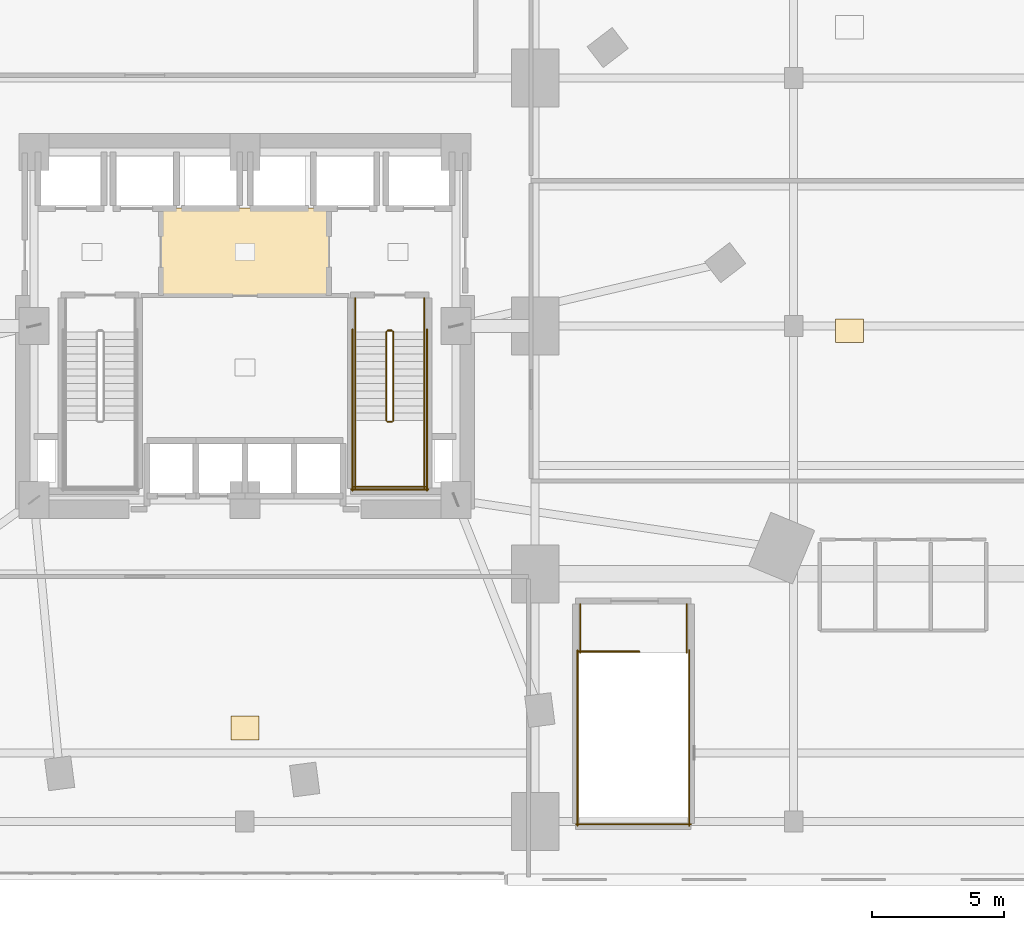
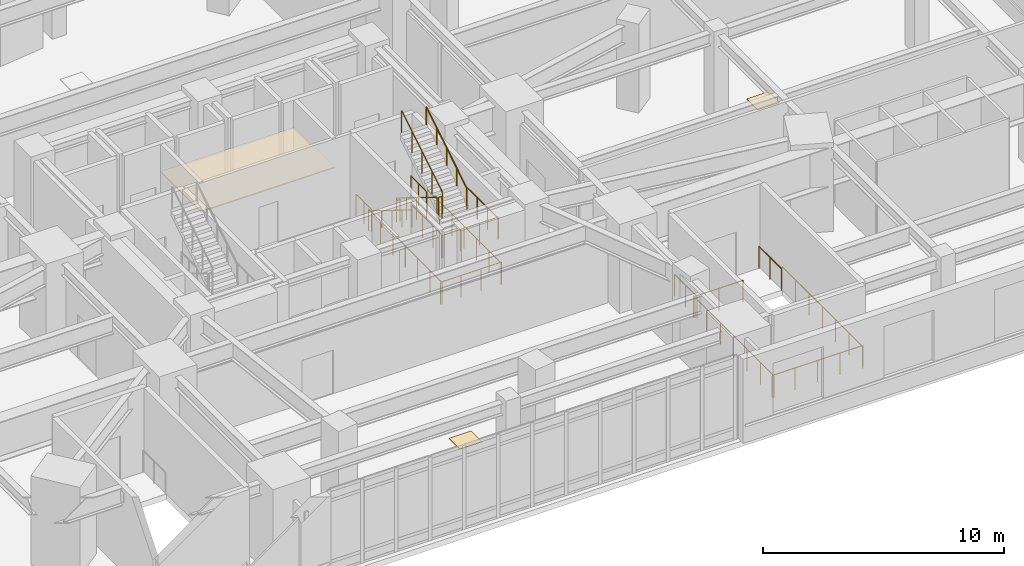
# One storey, part 19 of 20: 20 railings, 3 coverings.
"""IFC4 building model written with IfcOpenShell, lengths in metres."""

from ifc_helpers import new_model, si_unit, direction, frame, origin, origin_2d, place, context, subcontext, project, spatial, rectangle, circle, extrude, material, layer, layer_set, type_object, element, save


model = new_model("IFC4")

# Units and contexts
model_context = context("Model", 3, precision=1e-05, world=origin(), true_north=direction((0.0, 1.0)))
body_context = subcontext(model_context, "Body", "Model", "MODEL_VIEW")
ifc_project = project(units=[si_unit("LENGTHUNIT", "METRE"), si_unit("AREAUNIT", "SQUARE_METRE"), si_unit("VOLUMEUNIT", "CUBIC_METRE"), si_unit("PLANEANGLEUNIT", "RADIAN"), si_unit("MASSUNIT", "GRAM", prefix="KILO")], contexts=[model_context])

# Site, building, storey
site_placement = place(None, origin())
site = spatial("IfcSite", under=ifc_project, at=site_placement, CompositionType="ELEMENT")
building_placement = place(site_placement, origin())
building = spatial("IfcBuilding", under=site, at=building_placement, Name="Ndelora Gate Hotel", CompositionType="ELEMENT")
storey_placement = place(building_placement, frame((0.0, 0.0, 26.0)))
storey = spatial("IfcBuildingStorey", under=building, at=storey_placement, Name="L05", CompositionType="ELEMENT", Elevation=26.0)

# Coverings
ifc_material_1 = material(Name="Perforated Acoustic Gypsum Board", Category="gypsum")
ifc_layer_1 = layer(ifc_material_1, 0.054931640625)
ifc_layer_set_1 = layer_set([ifc_layer_1], Name="Perforated Acoustic Gypsum Board")
covering_type_1 = type_object("IfcCoveringType", Name="COV-CEIL-AC60", PredefinedType="CEILING", material=ifc_layer_set_1)
covering_placement = place(storey_placement, frame((0.0, 2.800048828125, 2.72265625), z_axis=(0.0, 0.0, 1.0), x_axis=(1.0, 0.0, 0.0)))
element("IfcCovering", 1, at=covering_placement, inside=storey, type_object=covering_type_1, Name="L05 Lift Lobby Acoustic Ceiling", PredefinedType="CEILING", context=body_context, shape_type="SweptSolid", body=[
    extrude(rectangle(XDim=6.39990234375, YDim=3.340087890625, at=origin_2d()), origin(), (0.0, 0.0, 1.0), 0.054931640625),
])
ifc_material_2 = material(Name="Engineered Highland Oak Parquet", Category="wood")
ifc_layer_2 = layer(ifc_material_2, 0.030029296875)
ifc_layer_set_2 = layer_set([ifc_layer_2], Name="Engineered Highland Oak Parquet")
covering_type_2 = type_object("IfcCoveringType", Name="COV-FLR-PARQ", PredefinedType="FLOORING", material=ifc_layer_set_2)
for number, where, z_axis, x_axis, name in (
    (2, (22.925048828125, -0.18994140625, 0.0), (0.0, 0.0, 1.0), (1.0, 0.0, 0.0), "L05 Business Centre Office Oak Parquet Flooring"),
    (3, (0.0, -15.25, 0.0), (0.0, 0.0, 1.0), (1.0, 0.0, 0.0), "L05 South Conference Salon Oak Parquet Flooring"),
):
    element("IfcCovering", number, at=place(storey_placement, frame(where, z_axis=z_axis, x_axis=x_axis)), inside=storey, type_object=covering_type_2, Name=name, PredefinedType="FLOORING", context=body_context, shape_type="SweptSolid", body=[
        extrude(rectangle(XDim=1.050048828125, YDim=0.89990234375, at=origin_2d()), origin(), (0.0, 0.0, 1.0), 0.030029296875),
    ])

# Railings
ifc_material_3 = material(Name="Painted Galvanized Steel Balustrade", Category="steel")
ifc_layer_3 = layer(ifc_material_3, 0.06005859375)
ifc_layer_set_3 = layer_set([ifc_layer_3], Name="Painted Galvanized Steel Balustrade")
railing_type_1 = type_object("IfcRailingType", Name="RL-STAIR-GD", PredefinedType="GUARDRAIL", material=ifc_layer_set_3)
railing_1_placement = place(storey_placement, frame((5.360107421875, -0.22998046875, 0.173095703125)))
element("IfcRailing", 4, at=railing_1_placement, inside=storey, type_object=railing_type_1, Name="L05 ST5 stair guard 1", PredefinedType="GUARDRAIL", context=body_context, shape_type="SweptSolid", body=[
    extrude(circle(Radius=0.02392578125, at=origin_2d()), frame((0.0, 0.0, 1.10595703125), z_axis=(0.0, -0.850623216509, 0.525775754039), x_axis=(1.0, 0.0, 0.0)), (0.0, 0.0, 1.0), 3.9501953125),
    extrude(circle(Radius=0.02099609375, at=origin_2d()), origin(), (0.0, 0.0, 1.0), 1.081787109375),
    extrude(circle(Radius=0.02099609375, at=origin_2d()), frame((0.0, -0.840087890625, 0.519287109375)), (0.0, 0.0, 1.0), 1.081787109375),
    extrude(circle(Radius=0.02099609375, at=origin_2d()), frame((0.0, -1.68017578125, 1.03857421875)), (0.0, 0.0, 1.0), 1.081787109375),
    extrude(circle(Radius=0.02099609375, at=origin_2d()), frame((0.0, -2.52001953125, 1.5576171875)), (0.0, 0.0, 1.0), 1.081787109375),
    extrude(circle(Radius=0.02099609375, at=origin_2d()), frame((0.0, -3.360107421875, 2.076904296875)), (0.0, 0.0, 1.0), 1.081787109375),
])
railing_2_placement = place(storey_placement, frame((5.409912109375, -3.639892578125, 2.25)))
element("IfcRailing", 5, at=railing_2_placement, inside=storey, type_object=railing_type_1, Name="L05 ST5 stair guard 2", PredefinedType="GUARDRAIL", context=body_context, shape_type="SweptSolid", body=[
    extrude(circle(Radius=0.02392578125, at=origin_2d()), frame((0.0, 0.0, 1.10595703125), z_axis=(1.0, 0.0, 0.0), x_axis=(0.0, 1.0, 0.0)), (0.0, 0.0, 1.0), 0.16015625),
    extrude(circle(Radius=0.02099609375, at=origin_2d()), origin(), (0.0, 0.0, 1.0), 1.081787109375),
    extrude(circle(Radius=0.02099609375, at=origin_2d()), frame((0.16015625, 0.0, 0.0)), (0.0, 0.0, 1.0), 1.081787109375),
])
for number, where, name in (
    (6, (4.179931640625, -3.590087890625, 2.25), "L05 ST5 stair guard 3"),
    (7, (6.800048828125, -3.590087890625, 2.25), "L05 ST5 stair guard 4"),
):
    element("IfcRailing", number, at=place(storey_placement, frame(where)), inside=storey, type_object=railing_type_1, Name=name, PredefinedType="GUARDRAIL", context=body_context, shape_type="SweptSolid", body=[
        extrude(circle(Radius=0.02392578125, at=origin_2d()), frame((0.0, 0.0, 1.10595703125), z_axis=(0.0, -1.0, 0.0), x_axis=(1.0, 0.0, 0.0)), (0.0, 0.0, 1.0), 2.559814453125),
        extrude(circle(Radius=0.02099609375, at=origin_2d()), origin(), (0.0, 0.0, 1.0), 1.081787109375),
        extrude(circle(Radius=0.02099609375, at=origin_2d()), frame((0.0, -0.853271484375, 0.0)), (0.0, 0.0, 1.0), 1.081787109375),
        extrude(circle(Radius=0.02099609375, at=origin_2d()), frame((0.0, -1.70654296875, 0.0)), (0.0, 0.0, 1.0), 1.081787109375),
        extrude(circle(Radius=0.02099609375, at=origin_2d()), frame((0.0, -2.559814453125, 0.0)), (0.0, 0.0, 1.0), 1.081787109375),
    ])
railing_3_placement = place(storey_placement, frame((4.1298828125, -6.10009765625, 2.25)))
element("IfcRailing", 8, at=railing_3_placement, inside=storey, type_object=railing_type_1, Name="L05 ST5 stair guard 5", PredefinedType="GUARDRAIL", context=body_context, shape_type="SweptSolid", body=[
    extrude(circle(Radius=0.02392578125, at=origin_2d()), frame((0.0, 0.0, 1.10595703125), z_axis=(1.0, 0.0, 0.0), x_axis=(0.0, 1.0, 0.0)), (0.0, 0.0, 1.0), 2.72021484375),
    extrude(circle(Radius=0.02099609375, at=origin_2d()), origin(), (0.0, 0.0, 1.0), 1.081787109375),
    extrude(circle(Radius=0.02099609375, at=origin_2d()), frame((0.90673828125, 0.0, 0.0)), (0.0, 0.0, 1.0), 1.081787109375),
    extrude(circle(Radius=0.02099609375, at=origin_2d()), frame((1.8134765625, 0.0, 0.0)), (0.0, 0.0, 1.0), 1.081787109375),
    extrude(circle(Radius=0.02099609375, at=origin_2d()), frame((2.72021484375, 0.0, 0.0)), (0.0, 0.0, 1.0), 1.081787109375),
])
railing_4_placement = place(storey_placement, frame((5.6201171875, -3.590087890625, 2.423095703125)))
element("IfcRailing", 9, at=railing_4_placement, inside=storey, type_object=railing_type_1, Name="L05 ST5 stair guard 6", PredefinedType="GUARDRAIL", context=body_context, shape_type="SweptSolid", body=[
    extrude(circle(Radius=0.02392578125, at=origin_2d()), frame((0.0, 0.0, 1.10595703125), z_axis=(0.0, 0.850623216509, 0.525775754039), x_axis=(-1.0, 0.0, 0.0)), (0.0, 0.0, 1.0), 3.9501953125),
    extrude(circle(Radius=0.02099609375, at=origin_2d()), origin(), (0.0, 0.0, 1.0), 1.081787109375),
    extrude(circle(Radius=0.02099609375, at=origin_2d()), frame((0.0, 0.840087890625, 0.519287109375)), (0.0, 0.0, 1.0), 1.081787109375),
    extrude(circle(Radius=0.02099609375, at=origin_2d()), frame((0.0, 1.68017578125, 1.03857421875)), (0.0, 0.0, 1.0), 1.081787109375),
    extrude(circle(Radius=0.02099609375, at=origin_2d()), frame((0.0, 2.52001953125, 1.5576171875)), (0.0, 0.0, 1.0), 1.081787109375),
    extrude(circle(Radius=0.02099609375, at=origin_2d()), frame((0.0, 3.360107421875, 2.076904296875)), (0.0, 0.0, 1.0), 1.081787109375),
])
railing_5_placement = place(storey_placement, frame((5.409912109375, -0.179931640625, 0.0)))
element("IfcRailing", 10, at=railing_5_placement, inside=storey, type_object=railing_type_1, Name="L05 ST5 stair guard 7", PredefinedType="GUARDRAIL", context=body_context, shape_type="SweptSolid", body=[
    extrude(circle(Radius=0.02392578125, at=origin_2d()), frame((0.0, 0.0, 1.10595703125), z_axis=(1.0, 0.0, 0.0), x_axis=(0.0, 1.0, 0.0)), (0.0, 0.0, 1.0), 0.16015625),
    extrude(circle(Radius=0.02099609375, at=origin_2d()), origin(), (0.0, 0.0, 1.0), 1.081787109375),
    extrude(circle(Radius=0.02099609375, at=origin_2d()), frame((0.16015625, 0.0, 0.0)), (0.0, 0.0, 1.0), 1.081787109375),
])
for number, where, name in (
    (11, (4.179931640625, 1.050048828125, 0.0), "L05 ST5 stair guard 8"),
    (12, (6.800048828125, 1.050048828125, 0.0), "L05 ST5 stair guard 9"),
):
    element("IfcRailing", number, at=place(storey_placement, frame(where)), inside=storey, type_object=railing_type_1, Name=name, PredefinedType="GUARDRAIL", context=body_context, shape_type="SweptSolid", body=[
        extrude(circle(Radius=0.02392578125, at=origin_2d()), frame((0.0, 0.0, 1.10595703125), z_axis=(0.0, -1.0, 0.0), x_axis=(1.0, 0.0, 0.0)), (0.0, 0.0, 1.0), 1.280029296875),
        extrude(circle(Radius=0.02099609375, at=origin_2d()), origin(), (0.0, 0.0, 1.0), 1.081787109375),
        extrude(circle(Radius=0.02099609375, at=origin_2d()), frame((0.0, -0.64013671875, 0.0)), (0.0, 0.0, 1.0), 1.081787109375),
        extrude(circle(Radius=0.02099609375, at=origin_2d()), frame((0.0, -1.280029296875, 0.0)), (0.0, 0.0, 1.0), 1.081787109375),
    ])
for number, where, name in (
    (13, (4.080078125, -0.1298828125, 0.0), "L05 ST5 stair guard 10"),
    (14, (6.89990234375, -0.1298828125, 0.0), "L05 ST5 stair guard 11"),
):
    element("IfcRailing", number, at=place(storey_placement, frame(where)), inside=storey, type_object=railing_type_1, Name=name, PredefinedType="GUARDRAIL", context=body_context, shape_type="SweptSolid", body=[
        extrude(circle(Radius=0.02392578125, at=origin_2d()), frame((0.0, 0.0, 1.10595703125), z_axis=(0.0, -1.0, 0.0), x_axis=(1.0, 0.0, 0.0)), (0.0, 0.0, 1.0), 6.1201171875),
        extrude(circle(Radius=0.02099609375, at=origin_2d()), origin(), (0.0, 0.0, 1.0), 1.081787109375),
        extrude(circle(Radius=0.02099609375, at=origin_2d()), frame((0.0, -1.02001953125, 0.0)), (0.0, 0.0, 1.0), 1.081787109375),
        extrude(circle(Radius=0.02099609375, at=origin_2d()), frame((0.0, -2.0400390625, 0.0)), (0.0, 0.0, 1.0), 1.081787109375),
        extrude(circle(Radius=0.02099609375, at=origin_2d()), frame((0.0, -3.06005859375, 0.0)), (0.0, 0.0, 1.0), 1.081787109375),
        extrude(circle(Radius=0.02099609375, at=origin_2d()), frame((0.0, -4.080078125, 0.0)), (0.0, 0.0, 1.0), 1.081787109375),
        extrude(circle(Radius=0.02099609375, at=origin_2d()), frame((0.0, -5.10009765625, 0.0)), (0.0, 0.0, 1.0), 1.081787109375),
        extrude(circle(Radius=0.02099609375, at=origin_2d()), frame((0.0, -6.1201171875, 0.0)), (0.0, 0.0, 1.0), 1.081787109375),
    ])
railing_6_placement = place(storey_placement, frame((4.030029296875, -6.199951171875, 0.0)))
element("IfcRailing", 15, at=railing_6_placement, inside=storey, type_object=railing_type_1, Name="L05 ST5 stair guard 12", PredefinedType="GUARDRAIL", context=body_context, shape_type="SweptSolid", body=[
    extrude(circle(Radius=0.02392578125, at=origin_2d()), frame((0.0, 0.0, 1.10595703125), z_axis=(1.0, 0.0, 0.0), x_axis=(0.0, 1.0, 0.0)), (0.0, 0.0, 1.0), 2.919921875),
    extrude(circle(Radius=0.02099609375, at=origin_2d()), origin(), (0.0, 0.0, 1.0), 1.081787109375),
    extrude(circle(Radius=0.02099609375, at=origin_2d()), frame((0.973388671875, 0.0, 0.0)), (0.0, 0.0, 1.0), 1.081787109375),
    extrude(circle(Radius=0.02099609375, at=origin_2d()), frame((1.946533203125, 0.0, 0.0)), (0.0, 0.0, 1.0), 1.081787109375),
    extrude(circle(Radius=0.02099609375, at=origin_2d()), frame((2.919921875, 0.0, 0.0)), (0.0, 0.0, 1.0), 1.081787109375),
])
railing_7_placement = place(storey_placement, frame((12.659912109375, -12.35009765625, 0.0)))
element("IfcRailing", 16, at=railing_7_placement, inside=storey, type_object=railing_type_1, Name="L05 ST3B top well guard 1", PredefinedType="GUARDRAIL", context=body_context, shape_type="SweptSolid", body=[
    extrude(circle(Radius=0.02392578125, at=origin_2d()), frame((0.0, 0.0, 1.10595703125), z_axis=(1.0, 0.0, 0.0), x_axis=(0.0, 1.0, 0.0)), (0.0, 0.0, 1.0), 2.2900390625),
    extrude(circle(Radius=0.02099609375, at=origin_2d()), origin(), (0.0, 0.0, 1.0), 1.081787109375),
    extrude(circle(Radius=0.02099609375, at=origin_2d()), frame((1.14501953125, 0.0, 0.0)), (0.0, 0.0, 1.0), 1.081787109375),
    extrude(circle(Radius=0.02099609375, at=origin_2d()), frame((2.2900390625, 0.0, 0.0)), (0.0, 0.0, 1.0), 1.081787109375),
])
for number, where, name in (
    (17, (12.610107421875, -12.300048828125, 0.0), "L05 ST3B top well guard 2"),
    (18, (16.85009765625, -12.300048828125, 0.0), "L05 ST3B top well guard 3"),
):
    element("IfcRailing", number, at=place(storey_placement, frame(where)), inside=storey, type_object=railing_type_1, Name=name, PredefinedType="GUARDRAIL", context=body_context, shape_type="SweptSolid", body=[
        extrude(circle(Radius=0.02392578125, at=origin_2d()), frame((0.0, 0.0, 1.10595703125), z_axis=(0.0, -1.0, 0.0), x_axis=(1.0, 0.0, 0.0)), (0.0, 0.0, 1.0), 6.64990234375),
        extrude(circle(Radius=0.02099609375, at=origin_2d()), origin(), (0.0, 0.0, 1.0), 1.081787109375),
        extrude(circle(Radius=0.02099609375, at=origin_2d()), frame((0.0, -1.1083984375, 0.0)), (0.0, 0.0, 1.0), 1.081787109375),
        extrude(circle(Radius=0.02099609375, at=origin_2d()), frame((0.0, -2.216552734375, 0.0)), (0.0, 0.0, 1.0), 1.081787109375),
        extrude(circle(Radius=0.02099609375, at=origin_2d()), frame((0.0, -3.324951171875, 0.0)), (0.0, 0.0, 1.0), 1.081787109375),
        extrude(circle(Radius=0.02099609375, at=origin_2d()), frame((0.0, -4.433349609375, 0.0)), (0.0, 0.0, 1.0), 1.081787109375),
        extrude(circle(Radius=0.02099609375, at=origin_2d()), frame((0.0, -5.54150390625, 0.0)), (0.0, 0.0, 1.0), 1.081787109375),
        extrude(circle(Radius=0.02099609375, at=origin_2d()), frame((0.0, -6.64990234375, 0.0)), (0.0, 0.0, 1.0), 1.081787109375),
    ])
railing_8_placement = place(storey_placement, frame((12.56005859375, -18.89990234375, 0.0)))
element("IfcRailing", 19, at=railing_8_placement, inside=storey, type_object=railing_type_1, Name="L05 ST3B top well guard 4", PredefinedType="GUARDRAIL", context=body_context, shape_type="SweptSolid", body=[
    extrude(circle(Radius=0.02392578125, at=origin_2d()), frame((0.0, 0.0, 1.10595703125), z_axis=(1.0, 0.0, 0.0), x_axis=(0.0, 1.0, 0.0)), (0.0, 0.0, 1.0), 4.33984375),
    extrude(circle(Radius=0.02099609375, at=origin_2d()), origin(), (0.0, 0.0, 1.0), 1.081787109375),
    extrude(circle(Radius=0.02099609375, at=origin_2d()), frame((1.0849609375, 0.0, 0.0)), (0.0, 0.0, 1.0), 1.081787109375),
    extrude(circle(Radius=0.02099609375, at=origin_2d()), frame((2.169921875, 0.0, 0.0)), (0.0, 0.0, 1.0), 1.081787109375),
    extrude(circle(Radius=0.02099609375, at=origin_2d()), frame((3.2548828125, 0.0, 0.0)), (0.0, 0.0, 1.0), 1.081787109375),
    extrude(circle(Radius=0.02099609375, at=origin_2d()), frame((4.33984375, 0.0, 0.0)), (0.0, 0.0, 1.0), 1.081787109375),
])
for number, where, name in (
    (20, (12.7099609375, -10.550048828125, 0.0), "L05 ST3B top well guard 5"),
    (21, (16.75, -10.550048828125, 0.0), "L05 ST3B top well guard 6"),
):
    element("IfcRailing", number, at=place(storey_placement, frame(where)), inside=storey, type_object=railing_type_1, Name=name, PredefinedType="GUARDRAIL", context=body_context, shape_type="SweptSolid", body=[
        extrude(circle(Radius=0.02392578125, at=origin_2d()), frame((0.0, 0.0, 1.10595703125), z_axis=(0.0, -1.0, 0.0), x_axis=(1.0, 0.0, 0.0)), (0.0, 0.0, 1.0), 1.849853515625),
        extrude(circle(Radius=0.02099609375, at=origin_2d()), origin(), (0.0, 0.0, 1.0), 1.081787109375),
        extrude(circle(Radius=0.02099609375, at=origin_2d()), frame((0.0, -0.9248046875, 0.0)), (0.0, 0.0, 1.0), 1.081787109375),
        extrude(circle(Radius=0.02099609375, at=origin_2d()), frame((0.0, -1.849853515625, 0.0)), (0.0, 0.0, 1.0), 1.081787109375),
    ])
ifc_material_4 = material(Name="Brushed Stainless Steel 316", Category="steel")
ifc_layer_4 = layer(ifc_material_4, 0.050048828125)
ifc_layer_set_4 = layer_set([ifc_layer_4], Name="Brushed Stainless Steel 316")
railing_type_2 = type_object("IfcRailingType", Name="RL-STAIR-HR", PredefinedType="HANDRAIL", material=ifc_layer_set_4)
railing_9_placement = place(storey_placement, frame((4.179931640625, -0.22998046875, 0.173095703125)))
element("IfcRailing", 22, at=railing_9_placement, inside=storey, type_object=railing_type_2, Name="L05 ST5 stair handrail 1", PredefinedType="HANDRAIL", context=body_context, shape_type="SweptSolid", body=[
    extrude(circle(Radius=0.02392578125, at=origin_2d()), frame((0.0, 0.0, 0.8759765625), z_axis=(0.0, -0.850623216509, 0.525775754039), x_axis=(1.0, 0.0, 0.0)), (0.0, 0.0, 1.0), 3.9501953125),
    extrude(circle(Radius=0.02099609375, at=origin_2d()), origin(), (0.0, 0.0, 1.0), 0.851806640625),
    extrude(circle(Radius=0.02099609375, at=origin_2d()), frame((0.0, -0.840087890625, 0.519287109375)), (0.0, 0.0, 1.0), 0.851806640625),
    extrude(circle(Radius=0.02099609375, at=origin_2d()), frame((0.0, -1.68017578125, 1.03857421875)), (0.0, 0.0, 1.0), 0.851806640625),
    extrude(circle(Radius=0.02099609375, at=origin_2d()), frame((0.0, -2.52001953125, 1.5576171875)), (0.0, 0.0, 1.0), 0.851806640625),
    extrude(circle(Radius=0.02099609375, at=origin_2d()), frame((0.0, -3.360107421875, 2.076904296875)), (0.0, 0.0, 1.0), 0.851806640625),
])
railing_10_placement = place(storey_placement, frame((6.800048828125, -3.590087890625, 2.423095703125)))
element("IfcRailing", 23, at=railing_10_placement, inside=storey, type_object=railing_type_2, Name="L05 ST5 stair handrail 2", PredefinedType="HANDRAIL", context=body_context, shape_type="SweptSolid", body=[
    extrude(circle(Radius=0.02392578125, at=origin_2d()), frame((0.0, 0.0, 0.8759765625), z_axis=(0.0, 0.850623216509, 0.525775754039), x_axis=(-1.0, 0.0, 0.0)), (0.0, 0.0, 1.0), 3.9501953125),
    extrude(circle(Radius=0.02099609375, at=origin_2d()), origin(), (0.0, 0.0, 1.0), 0.851806640625),
    extrude(circle(Radius=0.02099609375, at=origin_2d()), frame((0.0, 0.840087890625, 0.519287109375)), (0.0, 0.0, 1.0), 0.851806640625),
    extrude(circle(Radius=0.02099609375, at=origin_2d()), frame((0.0, 1.68017578125, 1.03857421875)), (0.0, 0.0, 1.0), 0.851806640625),
    extrude(circle(Radius=0.02099609375, at=origin_2d()), frame((0.0, 2.52001953125, 1.5576171875)), (0.0, 0.0, 1.0), 0.851806640625),
    extrude(circle(Radius=0.02099609375, at=origin_2d()), frame((0.0, 3.360107421875, 2.076904296875)), (0.0, 0.0, 1.0), 0.851806640625),
])

save(model, "model.ifc")
